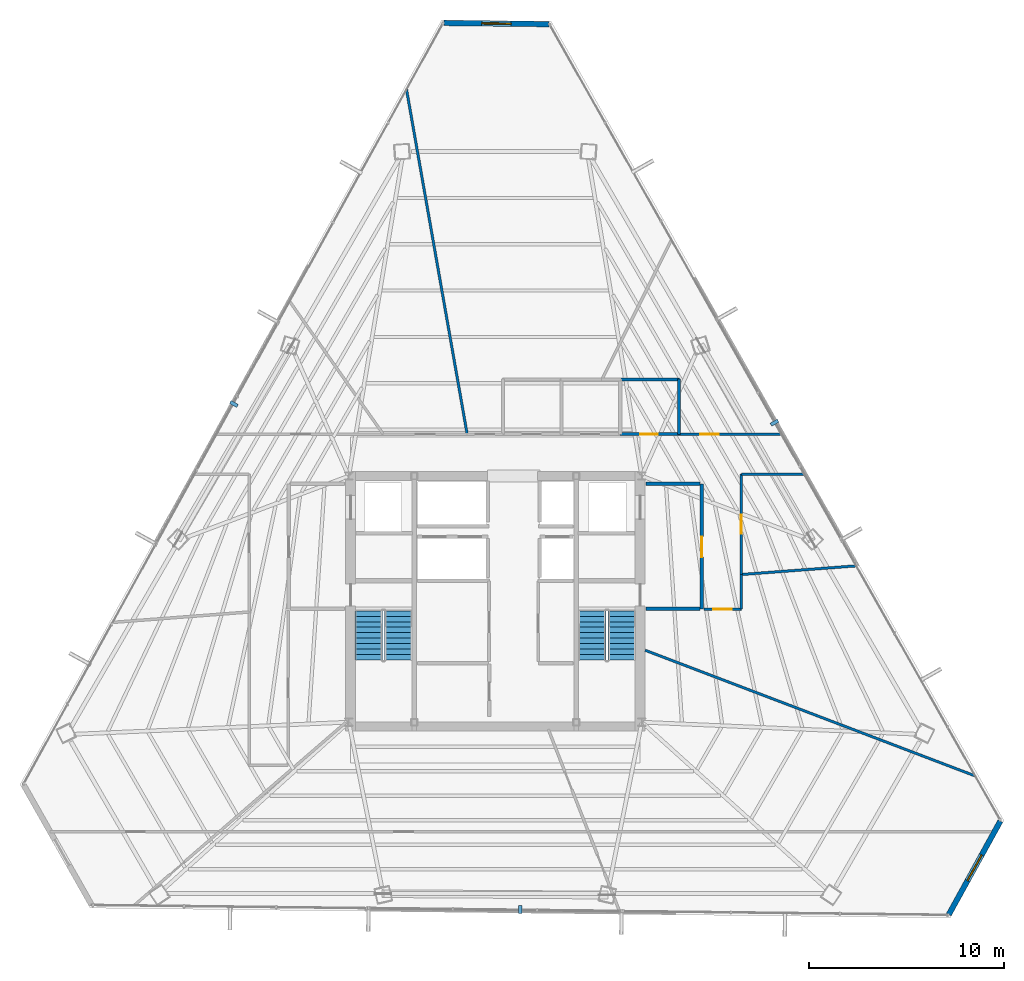
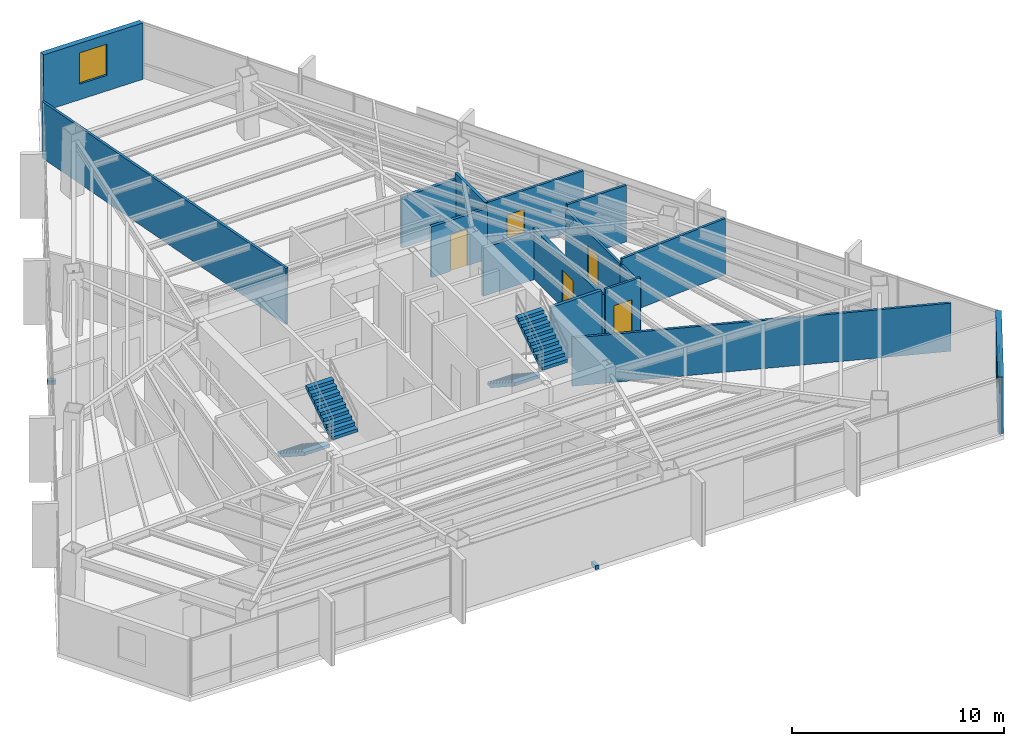
# One storey, part 37 of 40: 16 walls, 5 doors, 4 stair flights, 3 discrete accessories, 2 windows, 7 openings, 2 elements without a shape of their own.
"""IFC4 building model written with IfcOpenShell, lengths in metres."""

from ifc_helpers import new_model, si_unit, direction, frame, frame_2d, origin, origin_2d, place, context, subcontext, project, spatial, polyline, rectangle, outline, extrude, source, transform, mapped, material, layer, layer_set, type_object, type_shapes, element, fill, aggregate, save


model = new_model("IFC4")

# Units and contexts
model_context = context("Model", 3, precision=1e-05, world=origin(), true_north=direction((0.0, 1.0)))
body_context = subcontext(model_context, "Body", "Model", "MODEL_VIEW")
ifc_project = project(units=[si_unit("LENGTHUNIT", "METRE"), si_unit("AREAUNIT", "SQUARE_METRE"), si_unit("VOLUMEUNIT", "CUBIC_METRE"), si_unit("PLANEANGLEUNIT", "RADIAN"), si_unit("MASSUNIT", "GRAM", prefix="KILO")], contexts=[model_context])

# Site, building, storey
site_placement = place(None, origin())
site = spatial("IfcSite", under=ifc_project, at=site_placement, CompositionType="ELEMENT")
building_placement = place(site_placement, origin())
building = spatial("IfcBuilding", under=site, at=building_placement, Name="Caelisora Broadcast Tower", CompositionType="ELEMENT")
storey_placement = place(building_placement, frame((0.0, 0.0, 216.89990234375)))
storey = spatial("IfcBuildingStorey", under=building, at=storey_placement, Name="L57", CompositionType="ELEMENT", Elevation=216.89990234375)

# Wall, opening, window
ifc_material_1 = material(Name="Insulated Terracotta Spandrel Wall System", Category="masonry")
ifc_layer_1 = layer(ifc_material_1, 0.280029296875, Name="Insulated Terracotta Spandrel Wall System")
ifc_layer_set_1 = layer_set([ifc_layer_1], Name="Insulated Terracotta Spandrel Wall System")
wall_type_1 = type_object("IfcWallType", Name="EW1", PredefinedType="STANDARD", material=ifc_layer_set_1)
wall_1_placement = place(storey_placement, frame((63.8564453125, 12.335693359375, 0.0), z_axis=(0.0, 0.0, 1.0), x_axis=(-0.482922497862, -0.87566309792, 0.0)))
wall_1 = element("IfcWall", 1, at=wall_1_placement, inside=storey, type_object=wall_type_1, Name="L57 exterior envelope wall EW1", PredefinedType="STANDARD", context=body_context, shape_type="SweptSolid", body=[
    extrude(rectangle(XDim=5.46044921875, YDim=0.280029296875, at=frame_2d((2.730224609375, 0.0))), origin(), (0.0, 0.0, 1.0), 3.25),
])
opening_1_placement = place(wall_1_placement, frame((1.97998046875, 0.0, 0.89990234375)))
opening_1 = element("IfcOpeningElement", 2, at=opening_1_placement, cuts=wall_1, Name="Opening W02", PredefinedType="OPENING", context=body_context, shape_type="SweptSolid", body=[
    extrude(rectangle(XDim=1.5, YDim=1.800048828125, at=frame_2d((0.75, 0.89990234375))), frame((0.0, 0.152099609375, 0.0), z_axis=(0.0, -1.0, 0.0), x_axis=(1.0, 0.0, 0.0)), (0.0, 0.0, 1.0), 0.303955078125),
])
ifc_material_2 = material(Name="Double Glazed Terracotta-Framed Vision Window", Category="glass")
window_type = type_object("IfcWindowType", Name="W02", PartitioningType="SINGLE_PANEL", PredefinedType="WINDOW", material=ifc_material_2)
window_1_placement = place(opening_1_placement, origin())
window_1 = element("IfcWindow", 3, at=window_1_placement, inside=storey, type_object=window_type, Name="L57 window W02 (L57-WN-CH0)", OverallHeight=1.800048828125, OverallWidth=1.5, PartitioningType="SINGLE_PANEL", PredefinedType="WINDOW", context=body_context, shape_type="SweptSolid", body=[
    extrude(rectangle(XDim=1.5, YDim=1.800048828125, at=frame_2d((0.75, 0.89990234375))), frame((0.0, 0.030029296875, 0.0), z_axis=(0.0, -1.0, 0.0), x_axis=(1.0, 0.0, 0.0)), (0.0, 0.0, 1.0), 0.06005859375),
])
fill(opening_1, window_1)

wall_2_placement = place(storey_placement, frame((35.367919921875, 53.194580078125, 0.0), z_axis=(0.0, 0.0, 1.0), x_axis=(0.999935040825, -0.011397987977, 0.0)))
wall_2 = element("IfcWall", 4, at=wall_2_placement, inside=storey, type_object=wall_type_1, Name="L57 exterior envelope wall EW1", PredefinedType="STANDARD", context=body_context, shape_type="SweptSolid", body=[
    extrude(rectangle(XDim=5.376220703125, YDim=0.280029296875, at=frame_2d((2.68798828125, 0.0))), origin(), (0.0, 0.0, 1.0), 3.25),
])
opening_2_placement = place(wall_2_placement, frame((1.93994140625, 0.0, 0.89990234375)))
opening_2 = element("IfcOpeningElement", 5, at=opening_2_placement, cuts=wall_2, Name="Opening W02", PredefinedType="OPENING", context=body_context, shape_type="SweptSolid", body=[
    extrude(rectangle(XDim=1.5, YDim=1.800048828125, at=frame_2d((0.75, 0.89990234375))), frame((0.0, 0.152099609375, 0.0), z_axis=(0.0, -1.0, 0.0), x_axis=(1.0, 0.0, 0.0)), (0.0, 0.0, 1.0), 0.303955078125),
])
window_2_placement = place(opening_2_placement, origin())
window_2 = element("IfcWindow", 6, at=window_2_placement, inside=storey, type_object=window_type, Name="L57 window W02 (L57-WN-CH8)", OverallHeight=1.800048828125, OverallWidth=1.5, PartitioningType="SINGLE_PANEL", PredefinedType="WINDOW", context=body_context, shape_type="SweptSolid", body=[
    extrude(rectangle(XDim=1.5, YDim=1.800048828125, at=frame_2d((0.75, 0.89990234375))), frame((0.0, 0.030029296875, 0.0), z_axis=(0.0, -1.0, 0.0), x_axis=(1.0, 0.0, 0.0)), (0.0, 0.0, 1.0), 0.06005859375),
])
fill(opening_2, window_2)

# Wall, opening, door
ifc_material_3 = material(Name="Fire-Rated Gypsum Shaft and Compartment Wall", Category="gypsum")
ifc_layer_2 = layer(ifc_material_3, 0.179931640625, Name="Fire-Rated Gypsum Shaft and Compartment Wall")
ifc_layer_set_2 = layer_set([ifc_layer_2], Name="Fire-Rated Gypsum Shaft and Compartment Wall")
wall_type_2 = type_object("IfcWallType", Name="PW2", PredefinedType="PARTITIONING", material=ifc_layer_set_2)
wall_3_placement = place(storey_placement, frame((48.580078125, 23.199951171875, 0.0), z_axis=(0.0, 0.0, 1.0), x_axis=(0.0, 1.0, 0.0)))
wall_3 = element("IfcWall", 7, at=wall_3_placement, inside=storey, type_object=wall_type_2, Name="L57 fire compartment wall PW2", PredefinedType="PARTITIONING", context=body_context, shape_type="SweptSolid", body=[
    extrude(rectangle(XDim=6.400146484375, YDim=0.179931640625, at=frame_2d((3.2001953125, 0.0))), origin(), (0.0, 0.0, 1.0), 2.927978515625),
])
opening_3_placement = place(wall_3_placement, frame((2.64990234375, 0.0, 0.0)))
opening_3 = element("IfcOpeningElement", 8, at=opening_3_placement, cuts=wall_3, Name="Opening FD02", PredefinedType="OPENING", context=body_context, shape_type="SweptSolid", body=[
    extrude(rectangle(XDim=1.050048828125, YDim=2.14990234375, at=frame_2d((0.52490234375, 1.074951171875))), frame((0.0, 0.10205078125, 0.0), z_axis=(0.0, -1.0, 0.0), x_axis=(1.0, 0.0, 0.0)), (0.0, 0.0, 1.0), 0.203857421875),
])
ifc_material_4 = material(Name="Single-Leaf Steel Fire Lobby Door", Category="steel")
door_type_1 = type_object("IfcDoorType", Name="FD02", OperationType="NOTDEFINED", PredefinedType="DOOR", material=ifc_material_4)
door_1_placement = place(opening_3_placement, origin())
door_1 = element("IfcDoor", 9, at=door_1_placement, inside=storey, type_object=door_type_1, Name="L57 door FD02 (L57-DR-P04D1)", OperationType="SINGLE_SWING_LEFT", OverallHeight=2.14990234375, OverallWidth=1.050048828125, PredefinedType="DOOR", context=body_context, shape_type="SweptSolid", body=[
    extrude(rectangle(XDim=1.050048828125, YDim=2.14990234375, at=frame_2d((0.52490234375, 1.074951171875))), frame((0.0, 0.02490234375, 0.0), z_axis=(0.0, -1.0, 0.0), x_axis=(1.0, 0.0, 0.0)), (0.0, 0.0, 1.0), 0.050048828125),
])
fill(opening_3, door_1)

# Walls
wall_4_placement = place(storey_placement, frame((45.719970703125, 23.199951171875, 0.0), z_axis=(0.0, 0.0, 1.0), x_axis=(1.0, 0.0, 0.0)))
element("IfcWall", 10, at=wall_4_placement, inside=storey, type_object=wall_type_2, Name="L57 fire compartment wall PW2", PredefinedType="PARTITIONING", context=body_context, shape_type="SweptSolid", body=[
    extrude(rectangle(XDim=2.760009765625, YDim=0.179931640625, at=frame_2d((1.3798828125, 0.0))), origin(), (0.0, 0.0, 1.0), 3.25),
])
wall_5_placement = place(storey_placement, frame((45.719970703125, 29.60009765625, 0.0), z_axis=(0.0, 0.0, 1.0), x_axis=(1.0, 0.0, 0.0)))
element("IfcWall", 11, at=wall_5_placement, inside=storey, type_object=wall_type_2, Name="L57 fire compartment wall PW2", PredefinedType="PARTITIONING", context=body_context, shape_type="SweptSolid", body=[
    extrude(rectangle(XDim=2.760009765625, YDim=0.179931640625, at=frame_2d((1.3798828125, 0.0))), origin(), (0.0, 0.0, 1.0), 2.774658203125),
])
ifc_material_5 = material(Name="Acoustic Steel-Stud Plasterboard Partition", Category="gypsum")
ifc_layer_3 = layer(ifc_material_5, 0.1298828125, Name="Acoustic Steel-Stud Plasterboard Partition")
ifc_layer_set_3 = layer_set([ifc_layer_3], Name="Acoustic Steel-Stud Plasterboard Partition")
wall_type_3 = type_object("IfcWallType", Name="PW3", PredefinedType="PARTITIONING", material=ifc_layer_set_3)
wall_6_placement = place(storey_placement, frame((45.669921875, 21.0830078125, 0.0), z_axis=(0.0, 0.0, 1.0), x_axis=(0.934528325757, -0.355888758402, 0.0)))
element("IfcWall", 12, at=wall_6_placement, inside=storey, type_object=wall_type_3, Name="L57 internal partition PW3", PredefinedType="PARTITIONING", context=body_context, shape_type="SweptSolid", body=[
    extrude(rectangle(XDim=18.100830078125, YDim=0.1298828125, at=frame_2d((9.05029296875, 0.0))), origin(), (0.0, 0.0, 1.0), 2.774658203125),
])
wall_7_placement = place(storey_placement, frame((33.4560546875, 49.792236328125, 0.0), z_axis=(0.0, 0.0, 1.0), x_axis=(0.173275126194, -0.984873459203, 0.0)))
element("IfcWall", 13, at=wall_7_placement, inside=storey, type_object=wall_type_3, Name="L57 internal partition PW3", PredefinedType="PARTITIONING", context=body_context, shape_type="SweptSolid", body=[
    extrude(rectangle(XDim=17.908203125, YDim=0.1298828125, at=frame_2d((8.9541015625, 0.0))), origin(), (0.0, 0.0, 1.0), 3.25),
])
wall_8_placement = place(storey_placement, frame((50.60498046875, 24.9599609375, 0.0), z_axis=(0.0, 0.0, 1.0), x_axis=(0.997186103722, 0.074965822509, 0.0)))
element("IfcWall", 14, at=wall_8_placement, inside=storey, type_object=wall_type_3, Name="L57 internal partition PW3", PredefinedType="PARTITIONING", context=body_context, shape_type="SweptSolid", body=[
    extrude(rectangle(XDim=5.901123046875, YDim=0.1298828125, at=frame_2d((2.95068359375, 0.0))), origin(), (0.0, 0.0, 1.0), 3.25),
])

# Wall, opening, door
wall_9_placement = place(storey_placement, frame((47.405029296875, 32.14990234375, 0.0), z_axis=(0.0, 0.0, 1.0), x_axis=(1.0, 0.0, 0.0)))
wall_9 = element("IfcWall", 15, at=wall_9_placement, inside=storey, type_object=wall_type_3, Name="L57 internal partition PW3", PredefinedType="PARTITIONING", context=body_context, shape_type="SweptSolid", body=[
    extrude(rectangle(XDim=5.26171875, YDim=0.1298828125, at=frame_2d((2.630859375, 0.0))), origin(), (0.0, 0.0, 1.0), 3.25),
])
opening_4_placement = place(wall_9_placement, frame((1.080078125, 0.0, 0.0)))
opening_4 = element("IfcOpeningElement", 16, at=opening_4_placement, cuts=wall_9, Name="Opening D01", PredefinedType="OPENING", context=body_context, shape_type="SweptSolid", body=[
    extrude(rectangle(XDim=0.9599609375, YDim=2.14990234375, at=frame_2d((0.47998046875, 1.074951171875))), frame((0.0, 0.076904296875, 0.0), z_axis=(0.0, -1.0, 0.0), x_axis=(1.0, 0.0, 0.0)), (0.0, 0.0, 1.0), 0.15380859375),
])
ifc_material_6 = material(Name="Solid-Core Timber Acoustic Office Door", Category="wood")
door_type_2 = type_object("IfcDoorType", Name="D01", OperationType="NOTDEFINED", PredefinedType="DOOR", material=ifc_material_6)
door_2_placement = place(opening_4_placement, origin())
door_2 = element("IfcDoor", 17, at=door_2_placement, inside=storey, type_object=door_type_2, Name="L57 door D01 (L57-DR-P43D1)", OperationType="SINGLE_SWING_LEFT", OverallHeight=2.14990234375, OverallWidth=0.9599609375, PredefinedType="DOOR", context=body_context, shape_type="SweptSolid", body=[
    extrude(rectangle(XDim=0.9599609375, YDim=2.14990234375, at=frame_2d((0.47998046875, 1.074951171875))), frame((0.0, 0.02490234375, 0.0), z_axis=(0.0, -1.0, 0.0), x_axis=(1.0, 0.0, 0.0)), (0.0, 0.0, 1.0), 0.050048828125),
])
fill(opening_4, door_2)

wall_10_placement = place(storey_placement, frame((50.60009765625, 24.965087890625, 0.0), z_axis=(0.0, 0.0, 1.0), x_axis=(0.0, 1.0, 0.0)))
wall_10 = element("IfcWall", 18, at=wall_10_placement, inside=storey, type_object=wall_type_3, Name="L57 internal partition PW3", PredefinedType="PARTITIONING", context=body_context, shape_type="SweptSolid", body=[
    extrude(rectangle(XDim=5.1298828125, YDim=0.1298828125, at=frame_2d((2.56494140625, 0.0))), origin(), (0.0, 0.0, 1.0), 2.927978515625),
])
opening_5_placement = place(wall_10_placement, frame((2.0849609375, 0.0, 0.0)))
opening_5 = element("IfcOpeningElement", 19, at=opening_5_placement, cuts=wall_10, Name="Opening D01", PredefinedType="OPENING", context=body_context, shape_type="SweptSolid", body=[
    extrude(rectangle(XDim=0.9599609375, YDim=2.14990234375, at=frame_2d((0.47998046875, 1.074951171875))), frame((0.0, 0.076904296875, 0.0), z_axis=(0.0, -1.0, 0.0), x_axis=(1.0, 0.0, 0.0)), (0.0, 0.0, 1.0), 0.15380859375),
])
door_3_placement = place(opening_5_placement, origin())
door_3 = element("IfcDoor", 20, at=door_3_placement, inside=storey, type_object=door_type_2, Name="L57 door D01 (L57-DR-P44D1)", OperationType="SINGLE_SWING_RIGHT", OverallHeight=2.14990234375, OverallWidth=0.9599609375, PredefinedType="DOOR", context=body_context, shape_type="SweptSolid", body=[
    extrude(rectangle(XDim=0.9599609375, YDim=2.14990234375, at=frame_2d((0.47998046875, 1.074951171875))), frame((0.0, 0.02490234375, 0.0), z_axis=(0.0, -1.0, 0.0), x_axis=(1.0, 0.0, 0.0)), (0.0, 0.0, 1.0), 0.050048828125),
])
fill(opening_5, door_3)

# Wall
wall_11_placement = place(storey_placement, frame((50.60498046875, 30.10009765625, 0.0), z_axis=(0.0, 0.0, 1.0), x_axis=(1.0, 0.0, 0.0)))
element("IfcWall", 21, at=wall_11_placement, inside=storey, type_object=wall_type_3, Name="L57 internal partition PW3", PredefinedType="PARTITIONING", context=body_context, shape_type="SweptSolid", body=[
    extrude(rectangle(XDim=3.22314453125, YDim=0.1298828125, at=frame_2d((1.611572265625, 0.0))), origin(), (0.0, 0.0, 1.0), 3.25),
])

# Wall, opening, door
wall_12_placement = place(storey_placement, frame((48.675048828125, 23.179931640625, 0.0), z_axis=(0.0, 0.0, 1.0), x_axis=(1.0, 0.0, 0.0)))
wall_12 = element("IfcWall", 22, at=wall_12_placement, inside=storey, type_object=wall_type_3, Name="L57 internal partition PW3", PredefinedType="PARTITIONING", context=body_context, shape_type="SweptSolid", body=[
    extrude(rectangle(XDim=1.919921875, YDim=0.1298828125, at=frame_2d((0.9599609375, 0.0))), origin(), (0.0, 0.0, 1.0), 3.25),
])
opening_6_placement = place(wall_12_placement, frame((0.47998046875, 0.0, 0.0)))
opening_6 = element("IfcOpeningElement", 23, at=opening_6_placement, cuts=wall_12, Name="Opening D01", PredefinedType="OPENING", context=body_context, shape_type="SweptSolid", body=[
    extrude(rectangle(XDim=0.9599609375, YDim=2.14990234375, at=frame_2d((0.47998046875, 1.074951171875))), frame((0.0, 0.076904296875, 0.0), z_axis=(0.0, -1.0, 0.0), x_axis=(1.0, 0.0, 0.0)), (0.0, 0.0, 1.0), 0.15380859375),
])
door_4_placement = place(opening_6_placement, origin())
door_4 = element("IfcDoor", 24, at=door_4_placement, inside=storey, type_object=door_type_2, Name="L57 door D01 (L57-DR-P49D1)", OperationType="SINGLE_SWING_LEFT", OverallHeight=2.14990234375, OverallWidth=0.9599609375, PredefinedType="DOOR", context=body_context, shape_type="SweptSolid", body=[
    extrude(rectangle(XDim=0.9599609375, YDim=2.14990234375, at=frame_2d((0.47998046875, 1.074951171875))), frame((0.0, 0.02490234375, 0.0), z_axis=(0.0, -1.0, 0.0), x_axis=(1.0, 0.0, 0.0)), (0.0, 0.0, 1.0), 0.050048828125),
])
fill(opening_6, door_4)

# Wall
wall_13_placement = place(storey_placement, frame((50.60009765625, 23.18505859375, 0.0), z_axis=(0.0, 0.0, 1.0), x_axis=(0.0, 1.0, 0.0)))
element("IfcWall", 25, at=wall_13_placement, inside=storey, type_object=wall_type_3, Name="L57 internal partition PW3", PredefinedType="PARTITIONING", context=body_context, shape_type="SweptSolid", body=[
    extrude(rectangle(XDim=1.77001953125, YDim=0.1298828125, at=frame_2d((0.885009765625, 0.0))), origin(), (0.0, 0.0, 1.0), 2.927978515625),
])

# Wall, opening, door
ifc_material_7 = material(Name="Moisture-Resistant Wet Plumbing Service Wall", Category="gypsum")
ifc_layer_4 = layer(ifc_material_7, 0.159912109375, Name="Moisture-Resistant Wet Plumbing Service Wall")
ifc_layer_set_4 = layer_set([ifc_layer_4], Name="Moisture-Resistant Wet Plumbing Service Wall")
wall_type_4 = type_object("IfcWallType", Name="PW4", PredefinedType="PLUMBINGWALL", material=ifc_layer_set_4)
wall_14_placement = place(storey_placement, frame((44.375, 32.14990234375, 0.0), z_axis=(0.0, 0.0, 1.0), x_axis=(1.0, 0.0, 0.0)))
wall_14 = element("IfcWall", 26, at=wall_14_placement, inside=storey, type_object=wall_type_4, Name="L57 wet plumbing wall PW4", PredefinedType="PLUMBINGWALL", context=body_context, shape_type="SweptSolid", body=[
    extrude(rectangle(XDim=3.050048828125, YDim=0.159912109375, at=frame_2d((1.52490234375, 0.0))), origin(), (0.0, 0.0, 1.0), 2.927978515625),
])
opening_7_placement = place(wall_14_placement, frame((1.034912109375, 0.0, 0.0)))
opening_7 = element("IfcOpeningElement", 27, at=opening_7_placement, cuts=wall_14, Name="Opening D03", PredefinedType="OPENING", context=body_context, shape_type="SweptSolid", body=[
    extrude(rectangle(XDim=0.919921875, YDim=2.10009765625, at=frame_2d((0.4599609375, 1.050048828125))), frame((0.0, 0.092041015625, 0.0), z_axis=(0.0, -1.0, 0.0), x_axis=(1.0, 0.0, 0.0)), (0.0, 0.0, 1.0), 0.183837890625),
])
ifc_material_8 = material(Name="Laminate Moisture-Resistant Amenity WC Door", Category="wood")
door_type_3 = type_object("IfcDoorType", Name="D03", OperationType="NOTDEFINED", PredefinedType="DOOR", material=ifc_material_8)
door_5_placement = place(opening_7_placement, origin())
door_5 = element("IfcDoor", 28, at=door_5_placement, inside=storey, type_object=door_type_3, Name="L57 door D03 (L57-DR-P16D1)", OperationType="SINGLE_SWING_LEFT", OverallHeight=2.10009765625, OverallWidth=0.919921875, PredefinedType="DOOR", context=body_context, shape_type="SweptSolid", body=[
    extrude(rectangle(XDim=0.919921875, YDim=2.10009765625, at=frame_2d((0.4599609375, 1.050048828125))), frame((0.0, 0.02490234375, 0.0), z_axis=(0.0, -1.0, 0.0), x_axis=(1.0, 0.0, 0.0)), (0.0, 0.0, 1.0), 0.050048828125),
])
fill(opening_7, door_5)

# Walls
wall_15_placement = place(storey_placement, frame((47.425048828125, 34.949951171875, 0.0), z_axis=(0.0, 0.0, 1.0), x_axis=(-1.0, 0.0, 0.0)))
element("IfcWall", 29, at=wall_15_placement, inside=storey, type_object=wall_type_4, Name="L57 wet plumbing wall PW4", PredefinedType="PLUMBINGWALL", context=body_context, shape_type="SweptSolid", body=[
    extrude(rectangle(XDim=3.050048828125, YDim=0.159912109375, at=frame_2d((1.52490234375, 0.0))), origin(), (0.0, 0.0, 1.0), 2.927978515625),
])
wall_16_placement = place(storey_placement, frame((47.39990234375, 32.125, 0.0), z_axis=(0.0, 0.0, 1.0), x_axis=(0.0, 1.0, 0.0)))
element("IfcWall", 30, at=wall_16_placement, inside=storey, type_object=wall_type_4, Name="L57 wet plumbing wall PW4", PredefinedType="PLUMBINGWALL", context=body_context, shape_type="SweptSolid", body=[
    extrude(rectangle(XDim=2.85009765625, YDim=0.159912109375, at=frame_2d((1.425048828125, 0.0))), origin(), (0.0, 0.0, 1.0), 3.25),
])

# Stair, stair flights
ifc_material_9 = material(Name="Concrete 40 MPa (AS 3600 N40)", Category="concrete")
stair_type_1 = type_object("IfcStairType", Name="ST-1", PredefinedType="HALF_TURN_STAIR", material=ifc_material_9)
stair_1_placement = place(storey_placement, origin())
stair_1 = element("IfcStair", 31, at=stair_1_placement, inside=storey, type_object=stair_type_1, Name="L57 West Fire-Isolated Tower Stair", PredefinedType="HALF_TURN_STAIR")
stair_flight_type = type_object("IfcStairFlightType", Name="STF-3", PredefinedType="STRAIGHT", material=ifc_material_9)
stair_flight_1_placement = place(storey_placement, frame((31.52001953125, 23.10009765625, 0.0), z_axis=(0.0, 0.0, 1.0), x_axis=(0.0, -1.0, 0.0)))
stair_flight_1 = element("IfcStairFlight", 32, at=stair_flight_1_placement, type_object=stair_flight_type, Name="ST-1 flight 1", NumberOfRisers=10, NumberOfTreads=9, PredefinedType="STRAIGHT", RiserHeight=0.1825, TreadLength=0.28, context=body_context, shape_type="SweptSolid", body=[
    extrude(outline(polyline([(0.0, 0.0), (0.0, 0.1826171875), (0.280029296875, 0.1826171875), (0.280029296875, 0.364990234375), (0.56005859375, 0.364990234375), (0.56005859375, 0.547607421875), (0.840087890625, 0.547607421875), (0.840087890625, 0.72998046875), (1.1201171875, 0.72998046875), (1.1201171875, 0.91259765625), (1.39990234375, 0.91259765625), (1.39990234375, 1.094970703125), (1.679931640625, 1.094970703125), (1.679931640625, 1.277587890625), (1.9599609375, 1.277587890625), (1.9599609375, 1.4599609375), (2.239990234375, 1.4599609375), (2.239990234375, 1.642578125), (2.52001953125, 1.642578125), (2.52001953125, 1.824951171875), (2.52001953125, 1.463623046875), (0.2744140625, 0.0), (0.0, 0.0)])), frame((0.0, 0.699951171875, 0.0), z_axis=(0.0, -1.0, 0.0), x_axis=(1.0, 0.0, 0.0)), (0.0, 0.0, 1.0), 1.39990234375),
])
stair_flight_2_placement = place(storey_placement, frame((33.0400390625, 20.580078125, 1.8251953125), z_axis=(0.0, 0.0, 1.0), x_axis=(0.0, 1.0, 0.0)))
stair_flight_2 = element("IfcStairFlight", 33, at=stair_flight_2_placement, type_object=stair_flight_type, Name="ST-1 flight 2", NumberOfRisers=10, NumberOfTreads=9, PredefinedType="STRAIGHT", RiserHeight=0.1825, TreadLength=0.28, context=body_context, shape_type="SweptSolid", body=[
    extrude(outline(polyline([(0.0, 0.0), (0.0, 0.1826171875), (0.280029296875, 0.1826171875), (0.280029296875, 0.364990234375), (0.56005859375, 0.364990234375), (0.56005859375, 0.547607421875), (0.840087890625, 0.547607421875), (0.840087890625, 0.72998046875), (1.1201171875, 0.72998046875), (1.1201171875, 0.91259765625), (1.39990234375, 0.91259765625), (1.39990234375, 1.094970703125), (1.679931640625, 1.094970703125), (1.679931640625, 1.277587890625), (1.9599609375, 1.277587890625), (1.9599609375, 1.4599609375), (2.239990234375, 1.4599609375), (2.239990234375, 1.642578125), (2.52001953125, 1.642578125), (2.52001953125, 1.824951171875), (2.52001953125, 1.463623046875), (0.2744140625, 0.0), (0.0, 0.0)])), frame((0.0, 0.699951171875, 0.0), z_axis=(0.0, -1.0, 0.0), x_axis=(1.0, 0.0, 0.0)), (0.0, 0.0, 1.0), 1.39990234375),
])
aggregate(stair_1, [stair_flight_1, stair_flight_2])

stair_type_2 = type_object("IfcStairType", Name="ST-2", PredefinedType="HALF_TURN_STAIR", material=ifc_material_9)
stair_2_placement = place(storey_placement, origin())
stair_2 = element("IfcStair", 34, at=stair_2_placement, inside=storey, type_object=stair_type_2, Name="L57 East Fire-Isolated Tower Stair", PredefinedType="HALF_TURN_STAIR")
stair_flight_3_placement = place(storey_placement, frame((42.9599609375, 23.10009765625, 0.0), z_axis=(0.0, 0.0, 1.0), x_axis=(0.0, -1.0, 0.0)))
stair_flight_3 = element("IfcStairFlight", 35, at=stair_flight_3_placement, type_object=stair_flight_type, Name="ST-2 flight 1", NumberOfRisers=10, NumberOfTreads=9, PredefinedType="STRAIGHT", RiserHeight=0.1825, TreadLength=0.28, context=body_context, shape_type="SweptSolid", body=[
    extrude(outline(polyline([(0.0, 0.0), (0.0, 0.1826171875), (0.280029296875, 0.1826171875), (0.280029296875, 0.364990234375), (0.56005859375, 0.364990234375), (0.56005859375, 0.547607421875), (0.840087890625, 0.547607421875), (0.840087890625, 0.72998046875), (1.1201171875, 0.72998046875), (1.1201171875, 0.91259765625), (1.39990234375, 0.91259765625), (1.39990234375, 1.094970703125), (1.679931640625, 1.094970703125), (1.679931640625, 1.277587890625), (1.9599609375, 1.277587890625), (1.9599609375, 1.4599609375), (2.239990234375, 1.4599609375), (2.239990234375, 1.642578125), (2.52001953125, 1.642578125), (2.52001953125, 1.824951171875), (2.52001953125, 1.463623046875), (0.2744140625, 0.0), (0.0, 0.0)])), frame((0.0, 0.699951171875, 0.0), z_axis=(0.0, -1.0, 0.0), x_axis=(1.0, 0.0, 0.0)), (0.0, 0.0, 1.0), 1.39990234375),
])
stair_flight_4_placement = place(storey_placement, frame((44.47998046875, 20.580078125, 1.8251953125), z_axis=(0.0, 0.0, 1.0), x_axis=(0.0, 1.0, 0.0)))
stair_flight_4 = element("IfcStairFlight", 36, at=stair_flight_4_placement, type_object=stair_flight_type, Name="ST-2 flight 2", NumberOfRisers=10, NumberOfTreads=9, PredefinedType="STRAIGHT", RiserHeight=0.1825, TreadLength=0.28, context=body_context, shape_type="SweptSolid", body=[
    extrude(outline(polyline([(0.0, 0.0), (0.0, 0.1826171875), (0.280029296875, 0.1826171875), (0.280029296875, 0.364990234375), (0.56005859375, 0.364990234375), (0.56005859375, 0.547607421875), (0.840087890625, 0.547607421875), (0.840087890625, 0.72998046875), (1.1201171875, 0.72998046875), (1.1201171875, 0.91259765625), (1.39990234375, 0.91259765625), (1.39990234375, 1.094970703125), (1.679931640625, 1.094970703125), (1.679931640625, 1.277587890625), (1.9599609375, 1.277587890625), (1.9599609375, 1.4599609375), (2.239990234375, 1.4599609375), (2.239990234375, 1.642578125), (2.52001953125, 1.642578125), (2.52001953125, 1.824951171875), (2.52001953125, 1.463623046875), (0.2744140625, 0.0), (0.0, 0.0)])), frame((0.0, 0.699951171875, 0.0), z_axis=(0.0, -1.0, 0.0), x_axis=(1.0, 0.0, 0.0)), (0.0, 0.0, 1.0), 1.39990234375),
])
aggregate(stair_2, [stair_flight_3, stair_flight_4])

# Discrete accessories
ifc_material_10 = material(Name="Steel Grade 350 (AS/NZS 3679.1)", Category="steel")
discrete_accessory_type = type_object("IfcDiscreteAccessoryType", Name="BRK-1", PredefinedType="BRACKET", material=ifc_material_10)
shared_shape = source(origin(), body_context, "Body", "SweptSolid", [
    extrude(rectangle(XDim=0.179931640625, YDim=0.419921875, at=origin_2d()), origin(), (0.0, 0.0, 1.0), 0.219970703125),
])
type_shapes(discrete_accessory_type, [shared_shape])
for number, where, z_axis, x_axis, name in (
    (37, (24.61767578125, 33.691162109375, -0.15966796875), (0.0, 0.0, 1.0), (-0.482823924874, -0.875717453046, 0.0), "L57 solar screen outrigger bracket #1"),
    (38, (39.275634765625, 7.810546875, -0.15966796875), (0.0, 0.0, 1.0), (0.99993365506, -0.011518918316, 0.0), "L57 solar screen outrigger bracket #2"),
    (39, (52.2958984375, 32.73388671875, -0.15966796875), (0.0, 0.0, 1.0), (-0.492879209759, 0.870097744272, 0.0), "L57 solar screen outrigger bracket #3"),
):
    element("IfcDiscreteAccessory", number, at=place(storey_placement, frame(where, z_axis=z_axis, x_axis=x_axis)), inside=storey, type_object=discrete_accessory_type, Name=name, PredefinedType="BRACKET", context=body_context, shape_type="MappedRepresentation", body=[
        mapped(shared_shape, transform((0.0, 0.0, 0.0), scale=1.0)),
    ])

save(model, "model.ifc")
